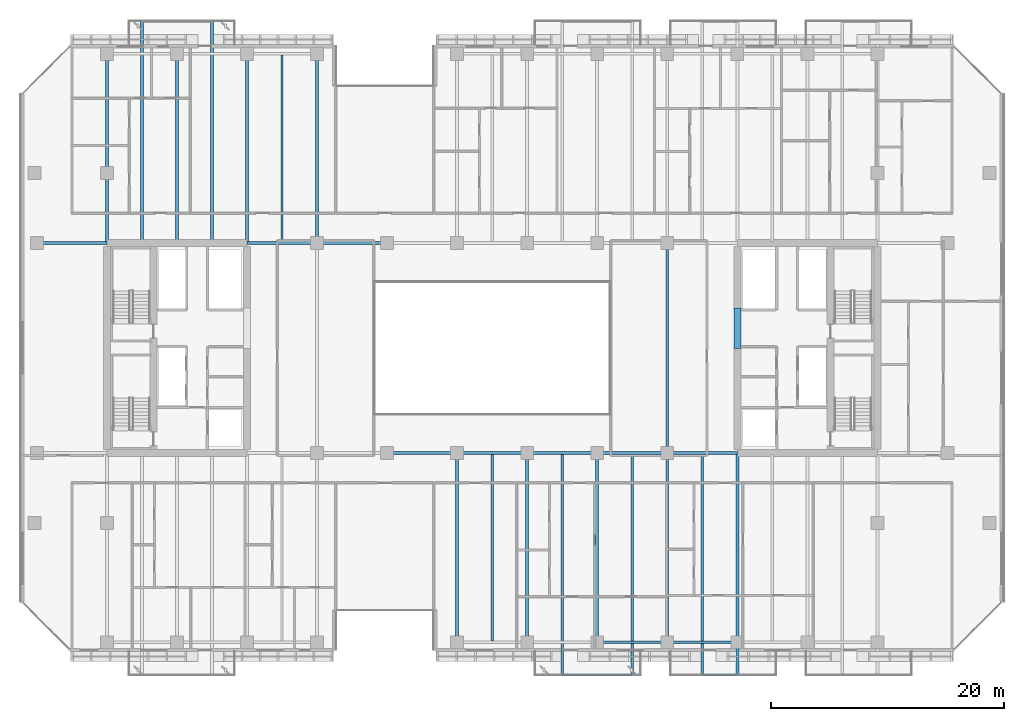
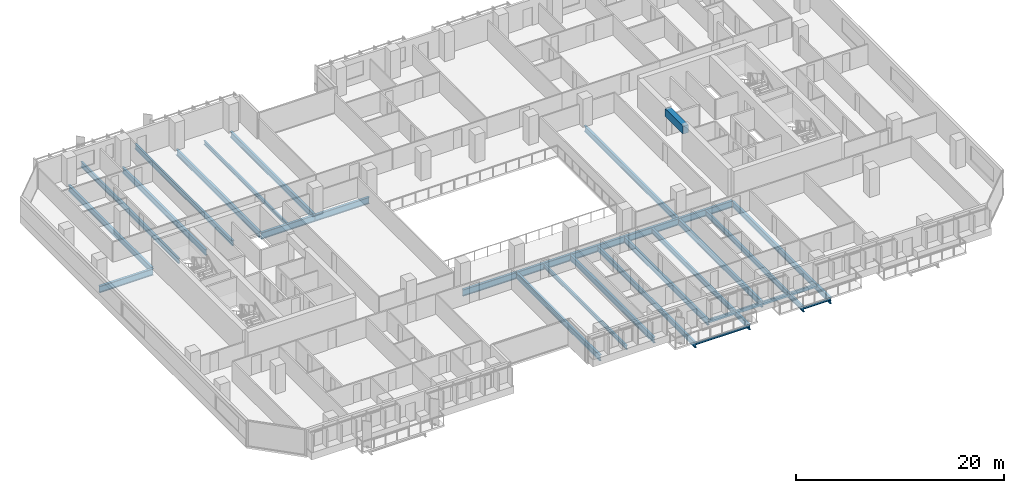
# One storey, part 7 of 34: 30 beams.
"""IFC4 building model written with IfcOpenShell, lengths in metres."""

from ifc_helpers import new_model, si_unit, direction, frame, origin, origin_2d, place, context, subcontext, project, spatial, rectangle, hollow_rectangle, i_section, extrude, material, material_profile, profile_set, type_object, element, save


model = new_model("IFC4")

# Units and contexts
model_context = context("Model", 3, precision=1e-05, world=origin(), true_north=direction((0.0, 1.0)))
body_context = subcontext(model_context, "Body", "Model", "MODEL_VIEW")
ifc_project = project(units=[si_unit("LENGTHUNIT", "METRE"), si_unit("AREAUNIT", "SQUARE_METRE"), si_unit("VOLUMEUNIT", "CUBIC_METRE"), si_unit("PLANEANGLEUNIT", "RADIAN"), si_unit("MASSUNIT", "GRAM", prefix="KILO")], contexts=[model_context])

# Site, building, storey
site_placement = place(None, origin())
site = spatial("IfcSite", under=ifc_project, at=site_placement, CompositionType="ELEMENT")
building_placement = place(site_placement, origin())
building = spatial("IfcBuilding", under=site, at=building_placement, Name="Tanjung Sevakor Pilgrim Tower", CompositionType="ELEMENT")
storey_placement = place(building_placement, frame((0.0, 0.0, 55.43994140625)))
storey = spatial("IfcBuildingStorey", under=building, at=storey_placement, Name="L15", CompositionType="ELEMENT", Elevation=55.43994140625)

# Beams
ifc_material_1 = material(Name="Steel S355J2", Category="steel")
ifc_material_profile_1 = material_profile(ifc_material_1, i_section(OverallWidth=0.26806640625, OverallDepth=0.769775390625, WebThickness=0.015625, FlangeThickness=0.025390625, FilletRadius=0.0166015625, at=origin_2d()))
ifc_profile_set_1 = profile_set([ifc_material_profile_1], Name="Steel S355J2")
beam_type_1 = type_object("IfcBeamType", Name="BM-B-G1-UB_762x267x197", PredefinedType="BEAM", material=ifc_profile_set_1)
for number, where, z_axis, x_axis, name in (
    (1, (48.0, 24.60009765625, -0.604736328125), (1.0, 0.0, 0.0), (0.0, 1.0, 0.0), "L15 Primary Floor Girder MAIN Y246-04"),
    (2, (54.0, 24.60009765625, -0.604736328125), (1.0, 0.0, 0.0), (0.0, 1.0, 0.0), "L15 Primary Floor Girder MAIN Y246-05"),
    (3, (60.0, 24.60009765625, -0.604736328125), (1.0, 0.0, 0.0), (0.0, 1.0, 0.0), "L15 Primary Floor Girder MAIN Y246-06"),
    (4, (66.0, 24.60009765625, -0.604736328125), (1.0, 0.0, 0.0), (0.0, 1.0, 0.0), "L15 Primary Floor Girder MAIN Y246-07"),
    (5, (72.0, 24.60009765625, -0.604736328125), (1.0, 0.0, 0.0), (0.0, 1.0, 0.0), "L15 Primary Floor Girder MAIN Y246-08"),
    (6, (18.0, 42.60009765625, -0.604736328125), (1.0, 0.0, 0.0), (0.0, 1.0, 0.0), "L15 Primary Floor Girder MAIN Y426-01"),
    (7, (36.0, 42.60009765625, -0.604736328125), (1.0, 0.0, 0.0), (0.0, 1.0, 0.0), "L15 Primary Floor Girder MAIN Y426-02"),
    (8, (42.0, 42.60009765625, -0.604736328125), (1.0, 0.0, 0.0), (0.0, 1.0, 0.0), "L15 Primary Floor Girder MAIN Y426-03"),
):
    element("IfcBeam", number, at=place(storey_placement, frame(where, z_axis=z_axis, x_axis=x_axis)), inside=storey, type_object=beam_type_1, Name=name, PredefinedType="BEAM", context=body_context, shape_type="SweptSolid", body=[
        extrude(i_section(OverallWidth=0.26806640625, OverallDepth=0.769775390625, WebThickness=0.015625, FlangeThickness=0.025390625, FilletRadius=0.0166015625, at=origin_2d()), origin(), (0.0, 0.0, 1.0), 6.0),
    ])
ifc_material_2 = material(Name="Steel S355J2", Category="steel")
ifc_material_profile_2 = material_profile(ifc_material_2, i_section(OverallWidth=0.25439453125, OverallDepth=0.6875, WebThickness=0.01318359375, FlangeThickness=0.02099609375, FilletRadius=0.01513671875, at=origin_2d()))
ifc_profile_set_2 = profile_set([ifc_material_profile_2], Name="Steel S355J2")
beam_type_2 = type_object("IfcBeamType", Name="BM-B-G2-UB_686x254x152", PredefinedType="BEAM", material=ifc_profile_set_2)
for number, where, z_axis, x_axis, name in (
    (9, (24.0, 42.73388671875, -0.563720703125), (0.0, 1.0, 0.0), (-1.0, 0.0, 0.0), "L15 MAIN Girder 002"),
    (10, (30.0, 42.73388671875, -0.563720703125), (0.0, 1.0, 0.0), (-1.0, 0.0, 0.0), "L15 MAIN Girder 004"),
    (11, (36.0, 42.73388671875, -0.563720703125), (0.0, 1.0, 0.0), (-1.0, 0.0, 0.0), "L15 MAIN Girder 006"),
):
    element("IfcBeam", number, at=place(storey_placement, frame(where, z_axis=z_axis, x_axis=x_axis)), inside=storey, type_object=beam_type_2, Name=name, PredefinedType="BEAM", context=body_context, shape_type="SweptSolid", body=[
        extrude(i_section(OverallWidth=0.25439453125, OverallDepth=0.6875, WebThickness=0.01318359375, FlangeThickness=0.02099609375, FilletRadius=0.01513671875, at=origin_2d()), origin(), (0.0, 0.0, 1.0), 16.066162109375),
    ])
beam_1_placement = place(storey_placement, frame((42.0, 42.60009765625, -0.563720703125), z_axis=(0.0, 1.0, 0.0), x_axis=(-1.0, 0.0, 0.0)))
element("IfcBeam", 12, at=beam_1_placement, inside=storey, type_object=beam_type_2, Name="L15 MAIN Girder 011", PredefinedType="BEAM", context=body_context, shape_type="SweptSolid", body=[
    extrude(i_section(OverallWidth=0.25439453125, OverallDepth=0.6875, WebThickness=0.01318359375, FlangeThickness=0.02099609375, FilletRadius=0.01513671875, at=origin_2d()), origin(), (0.0, 0.0, 1.0), 16.199951171875),
])
for number, where, z_axis, x_axis, name in (
    (13, (54.0, 8.39990234375, -0.563720703125), (0.0, 1.0, 0.0), (-1.0, 0.0, 0.0), "L15 MAIN Girder 012"),
    (14, (60.0, 8.39990234375, -0.563720703125), (0.0, 1.0, 0.0), (-1.0, 0.0, 0.0), "L15 MAIN Girder 016"),
    (15, (66.0, 8.39990234375, -0.563720703125), (0.0, 1.0, 0.0), (-1.0, 0.0, 0.0), "L15 MAIN Girder 018"),
    (16, (72.0, 8.39990234375, -0.563720703125), (0.0, 1.0, 0.0), (-1.0, 0.0, 0.0), "L15 MAIN Girder 020"),
):
    element("IfcBeam", number, at=place(storey_placement, frame(where, z_axis=z_axis, x_axis=x_axis)), inside=storey, type_object=beam_type_2, Name=name, PredefinedType="BEAM", context=body_context, shape_type="SweptSolid", body=[
        extrude(i_section(OverallWidth=0.25439453125, OverallDepth=0.6875, WebThickness=0.01318359375, FlangeThickness=0.02099609375, FilletRadius=0.01513671875, at=origin_2d()), origin(), (0.0, 0.0, 1.0), 16.2001953125),
    ])
beam_2_placement = place(storey_placement, frame((72.0, 24.60009765625, -0.563720703125), z_axis=(0.0, 1.0, 0.0), x_axis=(-1.0, 0.0, 0.0)))
element("IfcBeam", 17, at=beam_2_placement, inside=storey, type_object=beam_type_2, Name="L15 MAIN Girder 021", PredefinedType="BEAM", context=body_context, shape_type="SweptSolid", body=[
    extrude(i_section(OverallWidth=0.25439453125, OverallDepth=0.6875, WebThickness=0.01318359375, FlangeThickness=0.02099609375, FilletRadius=0.01513671875, at=origin_2d()), origin(), (0.0, 0.0, 1.0), 18.0),
])
beam_3_placement = place(storey_placement, frame((78.0, 24.466064453125, -0.563720703125), z_axis=(0.0, -1.0, 0.0), x_axis=(1.0, 0.0, 0.0)))
element("IfcBeam", 18, at=beam_3_placement, inside=storey, type_object=beam_type_2, Name="L15 Balcony Cantilever Beam MAIN-S3-2", PredefinedType="BEAM", context=body_context, shape_type="SweptSolid", body=[
    extrude(i_section(OverallWidth=0.25439453125, OverallDepth=0.6875, WebThickness=0.01318359375, FlangeThickness=0.02099609375, FilletRadius=0.01513671875, at=origin_2d()), origin(), (0.0, 0.0, 1.0), 18.845947265625),
])
ifc_material_3 = material(Name="Steel S355J2", Category="steel")
ifc_material_profile_3 = material_profile(ifc_material_3, i_section(OverallWidth=0.22900390625, OverallDepth=0.6123046875, WebThickness=0.011962890625, FlangeThickness=0.01953125, FilletRadius=0.0126953125, at=origin_2d()))
ifc_profile_set_3 = profile_set([ifc_material_profile_3], Name="Steel S355J2")
beam_type_3 = type_object("IfcBeamType", Name="BM-B-G4-UB_610x229x125", PredefinedType="BEAM", material=ifc_profile_set_3)
for number, where, z_axis, x_axis, name in (
    (19, (27.0, 42.73388671875, -0.526123046875), (0.0, 1.0, 0.0), (-1.0, 0.0, 0.0), "L15 Balcony Cantilever Beam MAIN-N1-1"),
    (20, (33.0, 42.73388671875, -0.526123046875), (0.0, 1.0, 0.0), (-1.0, 0.0, 0.0), "L15 Balcony Cantilever Beam MAIN-N1-2"),
):
    element("IfcBeam", number, at=place(storey_placement, frame(where, z_axis=z_axis, x_axis=x_axis)), inside=storey, type_object=beam_type_3, Name=name, PredefinedType="BEAM", context=body_context, shape_type="SweptSolid", body=[
        extrude(i_section(OverallWidth=0.22900390625, OverallDepth=0.6123046875, WebThickness=0.011962890625, FlangeThickness=0.01953125, FilletRadius=0.0126953125, at=origin_2d()), origin(), (0.0, 0.0, 1.0), 18.84619140625),
    ])
for number, where, z_axis, x_axis, name in (
    (21, (63.0, 24.466064453125, -0.526123046875), (0.0, -1.0, 0.0), (1.0, 0.0, 0.0), "L15 Balcony Cantilever Beam MAIN-S2-1"),
    (22, (69.0, 24.466064453125, -0.526123046875), (0.0, -1.0, 0.0), (1.0, 0.0, 0.0), "L15 Balcony Cantilever Beam MAIN-S2-2"),
    (23, (75.0, 24.466064453125, -0.526123046875), (0.0, -1.0, 0.0), (1.0, 0.0, 0.0), "L15 Balcony Cantilever Beam MAIN-S3-1"),
):
    element("IfcBeam", number, at=place(storey_placement, frame(where, z_axis=z_axis, x_axis=x_axis)), inside=storey, type_object=beam_type_3, Name=name, PredefinedType="BEAM", context=body_context, shape_type="SweptSolid", body=[
        extrude(i_section(OverallWidth=0.22900390625, OverallDepth=0.6123046875, WebThickness=0.011962890625, FlangeThickness=0.01953125, FilletRadius=0.0126953125, at=origin_2d()), origin(), (0.0, 0.0, 1.0), 18.845947265625),
    ])
ifc_material_4 = material(Name="Steel S355J2", Category="steel")
ifc_material_profile_4 = material_profile(ifc_material_4, i_section(OverallWidth=0.19140625, OverallDepth=0.4599609375, WebThickness=0.010009765625, FlangeThickness=0.01611328125, FilletRadius=0.01025390625, at=origin_2d()))
ifc_profile_set_4 = profile_set([ifc_material_profile_4], Name="Steel S355J2")
beam_type_4 = type_object("IfcBeamType", Name="BM-B-J2-UB_457x191x82", PredefinedType="JOIST", material=ifc_profile_set_4)
for number, where, z_axis, x_axis, name in (
    (24, (39.0, 42.73388671875, -0.449951171875), (0.0, 1.0, 0.0), (-1.0, 0.0, 0.0), "L15 MAIN Joist 008"),
    (25, (57.0, 8.5, -0.449951171875), (0.0, 1.0, 0.0), (-1.0, 0.0, 0.0), "L15 MAIN Joist 014"),
):
    element("IfcBeam", number, at=place(storey_placement, frame(where, z_axis=z_axis, x_axis=x_axis)), inside=storey, type_object=beam_type_4, Name=name, PredefinedType="JOIST", context=body_context, shape_type="SweptSolid", body=[
        extrude(i_section(OverallWidth=0.19140625, OverallDepth=0.4599609375, WebThickness=0.010009765625, FlangeThickness=0.01611328125, FilletRadius=0.01025390625, at=origin_2d()), origin(), (0.0, 0.0, 1.0), 15.966064453125),
    ])
ifc_material_5 = material(Name="Steel S355J2", Category="steel")
ifc_material_profile_5 = material_profile(ifc_material_5, i_section(OverallWidth=0.146484375, OverallDepth=0.256103515625, WebThickness=0.00634765625, FlangeThickness=0.010986328125, FilletRadius=0.007568359375, at=origin_2d()))
ifc_profile_set_5 = profile_set([ifc_material_profile_5], Name="Steel S355J2")
beam_type_5 = type_object("IfcBeamType", Name="BM-B-J6-UB_254x146x37", PredefinedType="JOIST", material=ifc_profile_set_5)
beam_4_placement = place(storey_placement, frame((63.0, 5.6201171875, -0.327880859375), z_axis=(1.0, 0.0, 0.0), x_axis=(0.0, 1.0, 0.0)))
element("IfcBeam", 26, at=beam_4_placement, inside=storey, type_object=beam_type_5, Name="L15 Balcony Rim Tie MAIN-S2", PredefinedType="JOIST", context=body_context, shape_type="SweptSolid", body=[
    extrude(i_section(OverallWidth=0.146484375, OverallDepth=0.256103515625, WebThickness=0.00634765625, FlangeThickness=0.010986328125, FilletRadius=0.007568359375, at=origin_2d()), origin(), (0.0, 0.0, 1.0), 6.0),
])
beam_5_placement = place(storey_placement, frame((75.0, 5.6201171875, -0.327880859375), z_axis=(1.0, 0.0, 0.0), x_axis=(0.0, 1.0, 0.0)))
element("IfcBeam", 27, at=beam_5_placement, inside=storey, type_object=beam_type_5, Name="L15 Balcony Rim Tie MAIN-S3", PredefinedType="JOIST", context=body_context, shape_type="SweptSolid", body=[
    extrude(i_section(OverallWidth=0.146484375, OverallDepth=0.256103515625, WebThickness=0.00634765625, FlangeThickness=0.010986328125, FilletRadius=0.007568359375, at=origin_2d()), origin(), (0.0, 0.0, 1.0), 3.0),
])
ifc_material_6 = material(Name="Concrete C60/75", Category="concrete")
ifc_material_profile_6 = material_profile(ifc_material_6, rectangle(XDim=0.60009765625, YDim=0.89990234375, at=origin_2d()))
ifc_profile_set_6 = profile_set([ifc_material_profile_6], Name="Concrete C60/75")
beam_type_6 = type_object("IfcBeamType", Name="BM-B-LN1-RC-BM_600x900", PredefinedType="LINTEL", material=ifc_profile_set_6)
beam_6_placement = place(storey_placement, frame((78.0, 33.550048828125, 2.630126953125), z_axis=(0.0, 1.0, 0.0), x_axis=(-1.0, 0.0, 0.0)))
element("IfcBeam", 28, at=beam_6_placement, inside=storey, type_object=beam_type_6, Name="L15 E Core Coupling Lintel", PredefinedType="LINTEL", context=body_context, shape_type="SweptSolid", body=[
    extrude(rectangle(XDim=0.60009765625, YDim=0.89990234375, at=origin_2d()), origin(), (0.0, 0.0, 1.0), 3.5),
])
ifc_material_7 = material(Name="Steel S355J2", Category="steel")
ifc_material_profile_7 = material_profile(ifc_material_7, hollow_rectangle(XDim=0.199951171875, YDim=0.39990234375, WallThickness=0.01611328125, at=origin_2d()))
ifc_profile_set_7 = profile_set([ifc_material_profile_7], Name="Steel S355J2")
beam_type_7 = type_object("IfcBeamType", Name="BM-B-SP2-RHS_400x200x16", PredefinedType="SPANDREL", material=ifc_profile_set_7)
for number, where, z_axis, x_axis, name in (
    (29, (66.0, 8.39990234375, -0.419921875), (1.0, 0.0, 0.0), (0.0, 1.0, 0.0), "L15 Spandrel MAIN S-11"),
    (30, (72.0, 8.39990234375, -0.419921875), (1.0, 0.0, 0.0), (0.0, 1.0, 0.0), "L15 Spandrel MAIN S-13"),
):
    element("IfcBeam", number, at=place(storey_placement, frame(where, z_axis=z_axis, x_axis=x_axis)), inside=storey, type_object=beam_type_7, Name=name, PredefinedType="SPANDREL", context=body_context, shape_type="SweptSolid", body=[
        extrude(hollow_rectangle(XDim=0.199951171875, YDim=0.39990234375, WallThickness=0.01611328125, at=origin_2d()), origin(), (0.0, 0.0, 1.0), 6.0),
    ])

save(model, "model.ifc")
